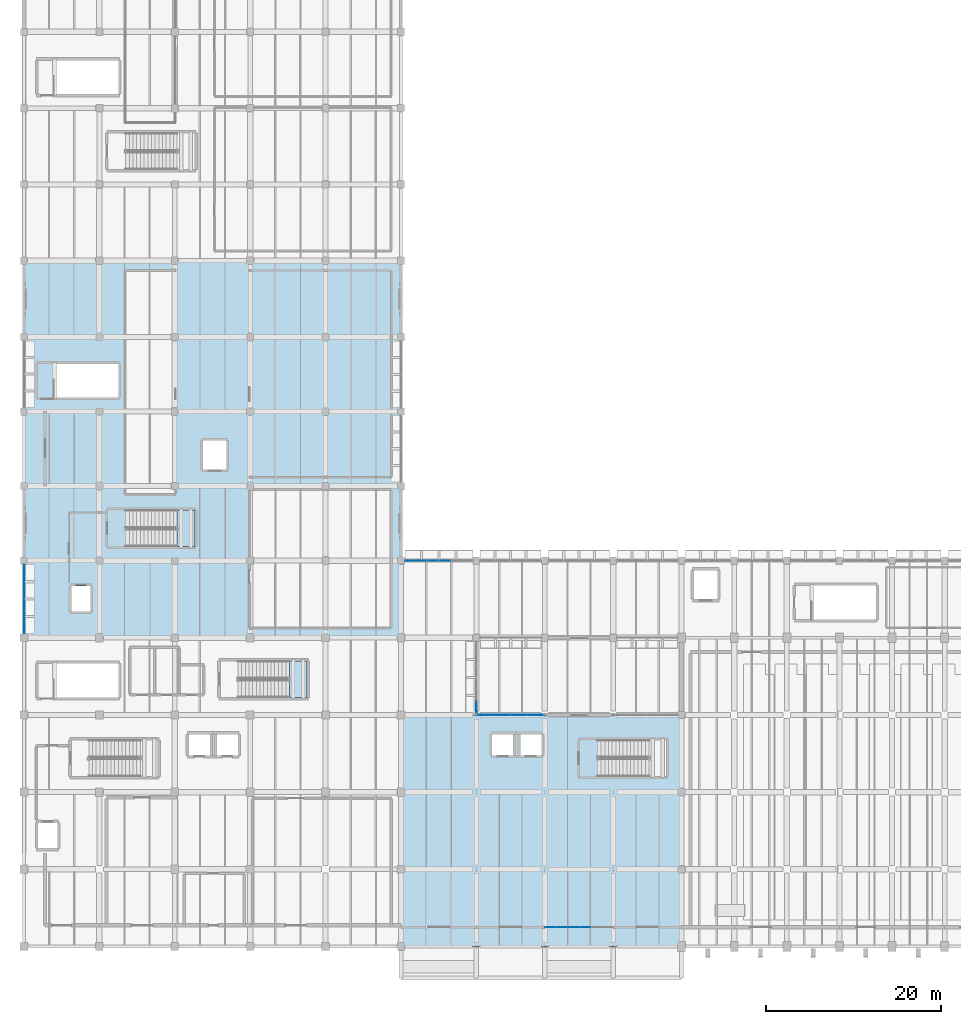
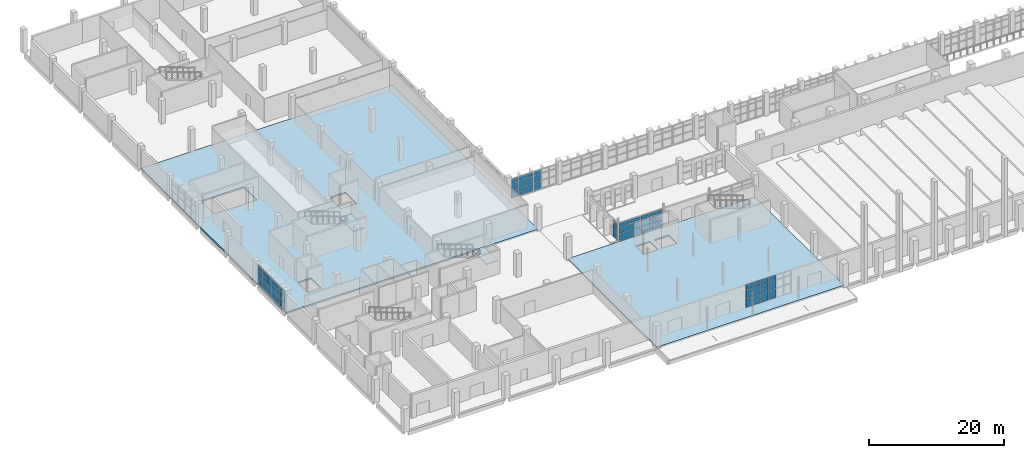
# One storey, part 50 of 76: 57 plates, 4 slabs, 11 elements without a shape of their own.
"""IFC4 building model written with IfcOpenShell, lengths in metres."""

import ifcopenshell
import ifcopenshell.guid

model = None  # the IFC model being written
_history = None  # IfcOwnerHistory: only IFC2X3 demands one
_inside = {}  # id of a spatial element -> (the spatial element, [elements in it])
_under = {}  # id of a project, library or spatial element -> (it, [spatial elements below it])
_declared = {}  # id of a project -> (the project, [libraries it declares])
_typed = {}  # id of a type object -> (the type object, [elements of that type])
_made_of = {}  # id of a material, layer set ... -> (it, [elements and type objects made of it])


def new_model(schema):
    """Start an empty IFC model of exactly this schema.

    Asked for "IFC4X3", IfcOpenShell would pick the latest addendum, in which some entities
    have other attributes; the version numbers below select the first issue.
    IFC2X3 requires an IfcOwnerHistory on every rooted entity: one is made here for all.
    """
    global model, _history
    if schema == "IFC4X3":
        model = ifcopenshell.file(schema_version=(4, 3, 0, 0))
    else:
        model = ifcopenshell.file(schema=schema)
    _inside.clear()
    _under.clear()
    _declared.clear()
    _typed.clear()
    _made_of.clear()
    _history = None
    if model.schema == "IFC2X3":
        org = make("IfcOrganization", Name="unknown")
        user = make(
            "IfcPersonAndOrganization",
            ThePerson=make("IfcPerson", FamilyName="unknown"),
            TheOrganization=org,
        )
        app = make(
            "IfcApplication",
            ApplicationDeveloper=org,
            Version="unknown",
            ApplicationFullName="unknown",
            ApplicationIdentifier="unknown",
        )
        _history = make(
            "IfcOwnerHistory",
            OwningUser=user,
            OwningApplication=app,
            ChangeAction="ADDED",
            CreationDate=0,
        )
    return model


def make(cls, **values):
    """One entity of the class cls with the attributes given. An attribute that is None is left unset."""
    return model.create_entity(
        cls, **{name: value for name, value in values.items() if value is not None}
    )


def rooted(cls, **values):
    """An entity with a GlobalId (a new one), such as an element, a storey or a relation."""
    return make(cls, GlobalId=ifcopenshell.guid.new(), OwnerHistory=_history, **values)


def si_unit(unit_type, name, prefix=None):
    """IfcSIUnit, for example si_unit("LENGTHUNIT", "METRE", prefix="MILLI")."""
    return make("IfcSIUnit", UnitType=unit_type, Prefix=prefix, Name=name)


def assignment(units):
    """IfcUnitAssignment: the units of a project."""
    return None if units is None else make("IfcUnitAssignment", Units=units)


def point(xyz):
    """IfcCartesianPoint."""
    return None if xyz is None else make("IfcCartesianPoint", Coordinates=xyz)


def direction(xyz):
    """IfcDirection."""
    return None if xyz is None else make("IfcDirection", DirectionRatios=xyz)


def frame(location, z_axis=None, x_axis=None):
    """IfcAxis2Placement3D, a coordinate frame: its origin and axes. An axis left out is left unset."""
    return make(
        "IfcAxis2Placement3D",
        Location=point(location),
        Axis=direction(z_axis),
        RefDirection=direction(x_axis),
    )


def frame_2d(location, x_axis=None):
    """IfcAxis2Placement2D, a coordinate frame in the plane: its origin and x axis."""
    return make(
        "IfcAxis2Placement2D", Location=point(location), RefDirection=direction(x_axis)
    )


def origin():
    """The frame at (0, 0, 0) with its axes left unset."""
    return frame((0.0, 0.0, 0.0))


def origin_2d():
    """The frame at (0, 0) in the plane with its x axis left unset."""
    return frame_2d((0.0, 0.0))


def place(relative_to, where):
    """IfcLocalPlacement: puts the frame where relative to a parent placement (None: the world)."""
    return make(
        "IfcLocalPlacement", PlacementRelTo=relative_to, RelativePlacement=where
    )


def context(
    kind, dimensions, precision=None, world=None, true_north=None, identifier=None
):
    """IfcGeometricRepresentationContext, for example the 3D "Model" context."""
    return make(
        "IfcGeometricRepresentationContext",
        ContextIdentifier=identifier,
        ContextType=kind,
        CoordinateSpaceDimension=dimensions,
        Precision=precision,
        WorldCoordinateSystem=world,
        TrueNorth=true_north,
    )


def subcontext(parent, identifier, kind, view, scale=None):
    """IfcGeometricRepresentationSubContext, for example "Body" below "Model"."""
    return make(
        "IfcGeometricRepresentationSubContext",
        ContextIdentifier=identifier,
        ContextType=kind,
        ParentContext=parent,
        TargetScale=scale,
        TargetView=view,
    )


def project(units=None, contexts=None):
    """IfcProject with its units and contexts."""
    return rooted(
        "IfcProject",
        Name="project",
        RepresentationContexts=contexts,
        UnitsInContext=assignment(units),
    )


def spatial(cls, under=None, at=None, **own):
    """A site, building, storey or space (cls), placed at a placement, below another one or the project."""
    s = rooted(cls, ObjectPlacement=at, **own)
    if under is not None:
        _under.setdefault(under.id(), (under, []))[1].append(s)
    return s


def polyline(points):
    """IfcPolyline through the points."""
    return make("IfcPolyline", Points=[point(p) for p in points])


def profile(cls, at=None, kind="AREA", **sizes):
    """A parametric profile (cls). Its sizes go by their IFC names, for example OverallWidth=200.0."""
    return make(cls, ProfileType=kind, Position=at, **sizes)


def rectangle(**sizes):
    """IfcRectangleProfileDef."""
    return profile("IfcRectangleProfileDef", **sizes)


def outline(outer, holes=None, kind="AREA"):
    """IfcArbitraryClosedProfileDef: a profile drawn as a closed curve; with holes, ...WithVoids."""
    if holes is None:
        return make("IfcArbitraryClosedProfileDef", ProfileType=kind, OuterCurve=outer)
    return make(
        "IfcArbitraryProfileDefWithVoids",
        ProfileType=kind,
        OuterCurve=outer,
        InnerCurves=holes,
    )


def extrude(swept, where, along, depth):
    """IfcExtrudedAreaSolid: the profile swept, set in the frame where, extruded along a direction by depth."""
    return make(
        "IfcExtrudedAreaSolid",
        SweptArea=swept,
        Position=where,
        ExtrudedDirection=direction(along),
        Depth=depth,
    )


def shape(context_of_items, identifier, shape_type, items):
    """IfcShapeRepresentation: the items that make up one representation, for example the "Body"."""
    return make(
        "IfcShapeRepresentation",
        ContextOfItems=context_of_items,
        RepresentationIdentifier=identifier,
        RepresentationType=shape_type,
        Items=items,
    )


def material(Name=None, Category=None):
    """IfcMaterial."""
    return make("IfcMaterial", Name=Name, Category=Category)


def layer(
    of_material, thickness, ventilated=None, Name=None, Category=None, Priority=None
):
    """IfcMaterialLayer: one layer of a wall or slab, of a material (None: an air gap)."""
    return make(
        "IfcMaterialLayer",
        Material=of_material,
        LayerThickness=thickness,
        IsVentilated=ventilated,
        Name=Name,
        Category=Category,
        Priority=Priority,
    )


def layer_set(layers, Name=None):
    """IfcMaterialLayerSet."""
    return make("IfcMaterialLayerSet", MaterialLayers=layers, LayerSetName=Name)


def made_of(thing, what):
    """Note that an element or type object is made of a material, layer set ...; save() writes the relation."""
    if what is not None:
        _made_of.setdefault(what.id(), (what, []))[1].append(thing)
    return thing


def type_object(cls, material=None, **own):
    """A type object (cls), such as IfcWallType, which elements share."""
    return made_of(rooted(cls, **own), material)


def element(
    cls,
    number,
    at=None,
    inside=None,
    cuts=None,
    type_object=None,
    material=None,
    context=None,
    identifier="Body",
    shape_type=None,
    held_by="IfcProductDefinitionShape",
    body=None,
    shapes=None,
    **own,
):
    """One element of the class cls, such as IfcWall. Its Tag is "e" and its number.

    at: its placement. inside: the storey or other place that contains it. cuts: it is an
    opening in that element (IfcRelVoidsElement). A single representation is given by context,
    identifier, shape_type and body (its items); several are given by shapes. held_by: the class
    of the entity that holds the representations. save() writes the other relations.
    """
    e = rooted(cls, Tag="e%d" % number, ObjectPlacement=at, **own)
    if body is not None:
        shapes = [shape(context, identifier, shape_type, body)]
    if shapes is not None:
        e.Representation = make(held_by, Representations=shapes)
    if inside is not None:
        _inside.setdefault(inside.id(), (inside, []))[1].append(e)
    if cuts is not None:
        rooted(
            "IfcRelVoidsElement", RelatingBuildingElement=cuts, RelatedOpeningElement=e
        )
    if type_object is not None:
        _typed.setdefault(type_object.id(), (type_object, []))[1].append(e)
    return made_of(e, material)


def aggregate(whole, parts):
    """IfcRelAggregates: a whole, such as a stair, and the parts it consists of."""
    return rooted("IfcRelAggregates", RelatingObject=whole, RelatedObjects=parts)


def save(model, path):
    """Write the relations noted so far, then the file.

    IfcRelAggregates (storeys below a building ...), IfcRelContainedInSpatialStructure (elements
    in a storey), IfcRelDefinesByType, IfcRelAssociatesMaterial and IfcRelDeclares: one each for
    every whole, place, type object, material and project.
    """
    for whole, parts in _under.values():
        aggregate(whole, parts)
    for where, things in _inside.values():
        rooted(
            "IfcRelContainedInSpatialStructure",
            RelatedElements=things,
            RelatingStructure=where,
        )
    for kind, things in _typed.values():
        rooted("IfcRelDefinesByType", RelatedObjects=things, RelatingType=kind)
    for what, things in _made_of.values():
        rooted("IfcRelAssociatesMaterial", RelatedObjects=things, RelatingMaterial=what)
    for by, libraries in _declared.values():
        rooted("IfcRelDeclares", RelatingContext=by, RelatedDefinitions=libraries)
    model.write(path)


model = new_model("IFC4")

# Units and contexts
model_context = context("Model", 3, precision=1e-05, world=origin(), true_north=direction((0.0, 1.0)))
body_context = subcontext(model_context, "Body", "Model", "MODEL_VIEW")
ifc_project = project(units=[si_unit("LENGTHUNIT", "METRE"), si_unit("AREAUNIT", "SQUARE_METRE"), si_unit("VOLUMEUNIT", "CUBIC_METRE"), si_unit("PLANEANGLEUNIT", "RADIAN"), si_unit("MASSUNIT", "GRAM", prefix="KILO")], contexts=[model_context])

# Site, building, storey
site_placement = place(None, origin())
site = spatial("IfcSite", under=ifc_project, at=site_placement, CompositionType="ELEMENT")
building_placement = place(site_placement, origin())
building = spatial("IfcBuilding", under=site, at=building_placement, Name="Varnakota Cinema and Media Centre", CompositionType="ELEMENT")
storey_placement = place(building_placement, origin())
storey = spatial("IfcBuildingStorey", under=building, at=storey_placement, Name="L00", CompositionType="ELEMENT", Elevation=0.0)

# Curtain wall, plates
ifc_material_1 = material(Name="Thermally broken anodised aluminium AW-6063", Category="aluminium")
curtain_wall_type_1 = type_object("IfcCurtainWallType", Name="CW-STD-388x424", PredefinedType="USERDEFINED", material=ifc_material_1)
curtain_wall_1_placement = place(storey_placement, origin())
curtain_wall_1 = element("IfcCurtainWall", 1, at=curtain_wall_1_placement, inside=storey, type_object=curtain_wall_type_1, Name="L00 curtain wall CW-L00-V6-S-02-1", ObjectType="UNITISED CURTAIN WALL", PredefinedType="USERDEFINED")
ifc_material_2 = material(Name="Laminated solar-control double glazing", Category="glass")
ifc_layer_1 = layer(ifc_material_2, 0.028076171875)
ifc_layer_set_1 = layer_set([ifc_layer_1], Name="Laminated solar-control double glazing")
plate_type = type_object("IfcPlateType", Name="CWP-DGU-28", PredefinedType="CURTAIN_PANEL", material=ifc_layer_set_1)
plate_1_placement = place(storey_placement, frame((63.98291015625, 2.199951171875, 0.06494140625), z_axis=(0.0, 0.0, 1.0), x_axis=(-1.0, 0.0, 0.0)))
plate_1 = element("IfcPlate", 2, at=plate_1_placement, type_object=plate_type, Name="CW05 panel 3.1", PredefinedType="CURTAIN_PANEL", context=body_context, shape_type="SweptSolid", body=[
    extrude(rectangle(XDim=1.19580078125, YDim=0.028076171875, at=origin_2d()), origin(), (0.0, 0.0, 1.0), 1.68115234375),
])
plate_2_placement = place(storey_placement, frame((63.98291015625, 2.199951171875, 1.81103515625), z_axis=(0.0, 0.0, 1.0), x_axis=(-1.0, 0.0, 0.0)))
plate_2 = element("IfcPlate", 3, at=plate_2_placement, type_object=plate_type, Name="CW05 panel 3.2", PredefinedType="CURTAIN_PANEL", context=body_context, shape_type="SweptSolid", body=[
    extrude(rectangle(XDim=1.19580078125, YDim=0.028076171875, at=origin_2d()), origin(), (0.0, 0.0, 1.0), 1.459716796875),
])
plate_3_placement = place(storey_placement, frame((63.98291015625, 2.199951171875, 3.3359375), z_axis=(0.0, 0.0, 1.0), x_axis=(-1.0, 0.0, 0.0)))
plate_3 = element("IfcPlate", 4, at=plate_3_placement, type_object=plate_type, Name="CW05 panel 3.3", PredefinedType="CURTAIN_PANEL", context=body_context, shape_type="SweptSolid", body=[
    extrude(rectangle(XDim=1.19580078125, YDim=0.028076171875, at=origin_2d()), origin(), (0.0, 0.0, 1.0), 0.834228515625),
])
aggregate(curtain_wall_1, [plate_1, plate_2, plate_3])

curtain_wall_2_placement = place(storey_placement, origin())
curtain_wall_2 = element("IfcCurtainWall", 5, at=curtain_wall_2_placement, inside=storey, type_object=curtain_wall_type_1, Name="L00 curtain wall CW-L00-V6-S-02-2", ObjectType="UNITISED CURTAIN WALL", PredefinedType="USERDEFINED")
plate_4_placement = place(storey_placement, frame((62.6171875, 2.199951171875, 0.06494140625), z_axis=(0.0, 0.0, 1.0), x_axis=(-1.0, 0.0, 0.0)))
plate_4 = element("IfcPlate", 6, at=plate_4_placement, type_object=plate_type, Name="CW05 panel 1.1", PredefinedType="CURTAIN_PANEL", context=body_context, shape_type="SweptSolid", body=[
    extrude(rectangle(XDim=1.19580078125, YDim=0.028076171875, at=origin_2d()), origin(), (0.0, 0.0, 1.0), 1.68115234375),
])
plate_5_placement = place(storey_placement, frame((62.6171875, 2.199951171875, 1.81103515625), z_axis=(0.0, 0.0, 1.0), x_axis=(-1.0, 0.0, 0.0)))
plate_5 = element("IfcPlate", 7, at=plate_5_placement, type_object=plate_type, Name="CW05 panel 1.2", PredefinedType="CURTAIN_PANEL", context=body_context, shape_type="SweptSolid", body=[
    extrude(rectangle(XDim=1.19580078125, YDim=0.028076171875, at=origin_2d()), origin(), (0.0, 0.0, 1.0), 1.459716796875),
])
plate_6_placement = place(storey_placement, frame((62.6171875, 2.199951171875, 3.3359375), z_axis=(0.0, 0.0, 1.0), x_axis=(-1.0, 0.0, 0.0)))
plate_6 = element("IfcPlate", 8, at=plate_6_placement, type_object=plate_type, Name="CW05 panel 1.3", PredefinedType="CURTAIN_PANEL", context=body_context, shape_type="SweptSolid", body=[
    extrude(rectangle(XDim=1.19580078125, YDim=0.028076171875, at=origin_2d()), origin(), (0.0, 0.0, 1.0), 0.834228515625),
])
plate_7_placement = place(storey_placement, frame((61.340087890625, 2.199951171875, 0.06494140625), z_axis=(0.0, 0.0, 1.0), x_axis=(-1.0, 0.0, 0.0)))
plate_7 = element("IfcPlate", 9, at=plate_7_placement, type_object=plate_type, Name="CW05 panel 2.1", PredefinedType="CURTAIN_PANEL", context=body_context, shape_type="SweptSolid", body=[
    extrude(rectangle(XDim=1.228271484375, YDim=0.028076171875, at=origin_2d()), origin(), (0.0, 0.0, 1.0), 1.68115234375),
])
plate_8_placement = place(storey_placement, frame((61.340087890625, 2.199951171875, 1.81103515625), z_axis=(0.0, 0.0, 1.0), x_axis=(-1.0, 0.0, 0.0)))
plate_8 = element("IfcPlate", 10, at=plate_8_placement, type_object=plate_type, Name="CW05 panel 2.2", PredefinedType="CURTAIN_PANEL", context=body_context, shape_type="SweptSolid", body=[
    extrude(rectangle(XDim=1.228271484375, YDim=0.028076171875, at=origin_2d()), origin(), (0.0, 0.0, 1.0), 1.459716796875),
])
plate_9_placement = place(storey_placement, frame((61.340087890625, 2.199951171875, 3.3359375), z_axis=(0.0, 0.0, 1.0), x_axis=(-1.0, 0.0, 0.0)))
plate_9 = element("IfcPlate", 11, at=plate_9_placement, type_object=plate_type, Name="CW05 panel 2.3", PredefinedType="CURTAIN_PANEL", context=body_context, shape_type="SweptSolid", body=[
    extrude(rectangle(XDim=1.228271484375, YDim=0.028076171875, at=origin_2d()), origin(), (0.0, 0.0, 1.0), 0.834228515625),
])
plate_10_placement = place(storey_placement, frame((60.06298828125, 2.199951171875, 0.06494140625), z_axis=(0.0, 0.0, 1.0), x_axis=(-1.0, 0.0, 0.0)))
plate_10 = element("IfcPlate", 12, at=plate_10_placement, type_object=plate_type, Name="CW05 panel 3.1", PredefinedType="CURTAIN_PANEL", context=body_context, shape_type="SweptSolid", body=[
    extrude(rectangle(XDim=1.19580078125, YDim=0.028076171875, at=origin_2d()), origin(), (0.0, 0.0, 1.0), 1.68115234375),
])
plate_11_placement = place(storey_placement, frame((60.06298828125, 2.199951171875, 1.81103515625), z_axis=(0.0, 0.0, 1.0), x_axis=(-1.0, 0.0, 0.0)))
plate_11 = element("IfcPlate", 13, at=plate_11_placement, type_object=plate_type, Name="CW05 panel 3.2", PredefinedType="CURTAIN_PANEL", context=body_context, shape_type="SweptSolid", body=[
    extrude(rectangle(XDim=1.19580078125, YDim=0.028076171875, at=origin_2d()), origin(), (0.0, 0.0, 1.0), 1.459716796875),
])
plate_12_placement = place(storey_placement, frame((60.06298828125, 2.199951171875, 3.3359375), z_axis=(0.0, 0.0, 1.0), x_axis=(-1.0, 0.0, 0.0)))
plate_12 = element("IfcPlate", 14, at=plate_12_placement, type_object=plate_type, Name="CW05 panel 3.3", PredefinedType="CURTAIN_PANEL", context=body_context, shape_type="SweptSolid", body=[
    extrude(rectangle(XDim=1.19580078125, YDim=0.028076171875, at=origin_2d()), origin(), (0.0, 0.0, 1.0), 0.834228515625),
])
aggregate(curtain_wall_2, [plate_4, plate_5, plate_6, plate_7, plate_8, plate_9, plate_10, plate_11, plate_12])

ifc_material_3 = material(Name="Thermally broken anodised aluminium AW-6063", Category="aluminium")
curtain_wall_type_2 = type_object("IfcCurtainWallType", Name="CW-STD-389x358", PredefinedType="USERDEFINED", material=ifc_material_3)
curtain_wall_3_placement = place(storey_placement, origin())
curtain_wall_3 = element("IfcCurtainWall", 15, at=curtain_wall_3_placement, inside=storey, type_object=curtain_wall_type_2, Name="L00 curtain wall CW-L00-LINK-N-01-1", ObjectType="UNITISED CURTAIN WALL", PredefinedType="USERDEFINED")
plate_13_placement = place(storey_placement, frame((44.06494140625, 44.0, 0.06494140625), z_axis=(0.0, 0.0, 1.0), x_axis=(1.0, 0.0, 0.0)))
plate_13 = element("IfcPlate", 16, at=plate_13_placement, type_object=plate_type, Name="CW07 panel 1.1", PredefinedType="CURTAIN_PANEL", context=body_context, shape_type="SweptSolid", body=[
    extrude(rectangle(XDim=1.199951171875, YDim=0.028076171875, at=origin_2d()), origin(), (0.0, 0.0, 1.0), 1.408203125),
])
plate_14_placement = place(storey_placement, frame((44.06494140625, 44.0, 1.5380859375), z_axis=(0.0, 0.0, 1.0), x_axis=(1.0, 0.0, 0.0)))
plate_14 = element("IfcPlate", 17, at=plate_14_placement, type_object=plate_type, Name="CW07 panel 1.2", PredefinedType="CURTAIN_PANEL", context=body_context, shape_type="SweptSolid", body=[
    extrude(rectangle(XDim=1.199951171875, YDim=0.028076171875, at=origin_2d()), origin(), (0.0, 0.0, 1.0), 1.2255859375),
])
plate_15_placement = place(storey_placement, frame((44.06494140625, 44.0, 2.82861328125), z_axis=(0.0, 0.0, 1.0), x_axis=(1.0, 0.0, 0.0)))
plate_15 = element("IfcPlate", 18, at=plate_15_placement, type_object=plate_type, Name="CW07 panel 1.3", PredefinedType="CURTAIN_PANEL", context=body_context, shape_type="SweptSolid", body=[
    extrude(rectangle(XDim=1.199951171875, YDim=0.028076171875, at=origin_2d()), origin(), (0.0, 0.0, 1.0), 0.691162109375),
])
plate_16_placement = place(storey_placement, frame((45.34619140625, 44.0, 0.06494140625), z_axis=(0.0, 0.0, 1.0), x_axis=(1.0, 0.0, 0.0)))
plate_16 = element("IfcPlate", 19, at=plate_16_placement, type_object=plate_type, Name="CW07 panel 2.1", PredefinedType="CURTAIN_PANEL", context=body_context, shape_type="SweptSolid", body=[
    extrude(rectangle(XDim=1.232421875, YDim=0.028076171875, at=origin_2d()), origin(), (0.0, 0.0, 1.0), 1.408203125),
])
plate_17_placement = place(storey_placement, frame((45.34619140625, 44.0, 1.5380859375), z_axis=(0.0, 0.0, 1.0), x_axis=(1.0, 0.0, 0.0)))
plate_17 = element("IfcPlate", 20, at=plate_17_placement, type_object=plate_type, Name="CW07 panel 2.2", PredefinedType="CURTAIN_PANEL", context=body_context, shape_type="SweptSolid", body=[
    extrude(rectangle(XDim=1.232421875, YDim=0.028076171875, at=origin_2d()), origin(), (0.0, 0.0, 1.0), 1.2255859375),
])
plate_18_placement = place(storey_placement, frame((45.34619140625, 44.0, 2.82861328125), z_axis=(0.0, 0.0, 1.0), x_axis=(1.0, 0.0, 0.0)))
plate_18 = element("IfcPlate", 21, at=plate_18_placement, type_object=plate_type, Name="CW07 panel 2.3", PredefinedType="CURTAIN_PANEL", context=body_context, shape_type="SweptSolid", body=[
    extrude(rectangle(XDim=1.232421875, YDim=0.028076171875, at=origin_2d()), origin(), (0.0, 0.0, 1.0), 0.691162109375),
])
plate_19_placement = place(storey_placement, frame((46.62744140625, 44.0, 0.06494140625), z_axis=(0.0, 0.0, 1.0), x_axis=(1.0, 0.0, 0.0)))
plate_19 = element("IfcPlate", 22, at=plate_19_placement, type_object=plate_type, Name="CW07 panel 3.1", PredefinedType="CURTAIN_PANEL", context=body_context, shape_type="SweptSolid", body=[
    extrude(rectangle(XDim=1.199951171875, YDim=0.028076171875, at=origin_2d()), origin(), (0.0, 0.0, 1.0), 1.408203125),
])
plate_20_placement = place(storey_placement, frame((46.62744140625, 44.0, 1.5380859375), z_axis=(0.0, 0.0, 1.0), x_axis=(1.0, 0.0, 0.0)))
plate_20 = element("IfcPlate", 23, at=plate_20_placement, type_object=plate_type, Name="CW07 panel 3.2", PredefinedType="CURTAIN_PANEL", context=body_context, shape_type="SweptSolid", body=[
    extrude(rectangle(XDim=1.199951171875, YDim=0.028076171875, at=origin_2d()), origin(), (0.0, 0.0, 1.0), 1.2255859375),
])
plate_21_placement = place(storey_placement, frame((46.62744140625, 44.0, 2.82861328125), z_axis=(0.0, 0.0, 1.0), x_axis=(1.0, 0.0, 0.0)))
plate_21 = element("IfcPlate", 24, at=plate_21_placement, type_object=plate_type, Name="CW07 panel 3.3", PredefinedType="CURTAIN_PANEL", context=body_context, shape_type="SweptSolid", body=[
    extrude(rectangle(XDim=1.199951171875, YDim=0.028076171875, at=origin_2d()), origin(), (0.0, 0.0, 1.0), 0.691162109375),
])
aggregate(curtain_wall_3, [plate_13, plate_14, plate_15, plate_16, plate_17, plate_18, plate_19, plate_20, plate_21])

curtain_wall_4_placement = place(storey_placement, origin())
curtain_wall_4 = element("IfcCurtainWall", 25, at=curtain_wall_4_placement, inside=storey, type_object=curtain_wall_type_2, Name="L00 curtain wall CW-L00-LINK-N-01-2", ObjectType="UNITISED CURTAIN WALL", PredefinedType="USERDEFINED")
plate_22_placement = place(storey_placement, frame((47.99755859375, 44.0, 0.06494140625), z_axis=(0.0, 0.0, 1.0), x_axis=(1.0, 0.0, 0.0)))
plate_22 = element("IfcPlate", 26, at=plate_22_placement, type_object=plate_type, Name="CW07 panel 1.1", PredefinedType="CURTAIN_PANEL", context=body_context, shape_type="SweptSolid", body=[
    extrude(rectangle(XDim=1.199951171875, YDim=0.028076171875, at=origin_2d()), origin(), (0.0, 0.0, 1.0), 1.408203125),
])
plate_23_placement = place(storey_placement, frame((47.99755859375, 44.0, 1.5380859375), z_axis=(0.0, 0.0, 1.0), x_axis=(1.0, 0.0, 0.0)))
plate_23 = element("IfcPlate", 27, at=plate_23_placement, type_object=plate_type, Name="CW07 panel 1.2", PredefinedType="CURTAIN_PANEL", context=body_context, shape_type="SweptSolid", body=[
    extrude(rectangle(XDim=1.199951171875, YDim=0.028076171875, at=origin_2d()), origin(), (0.0, 0.0, 1.0), 1.2255859375),
])
plate_24_placement = place(storey_placement, frame((47.99755859375, 44.0, 2.82861328125), z_axis=(0.0, 0.0, 1.0), x_axis=(1.0, 0.0, 0.0)))
plate_24 = element("IfcPlate", 28, at=plate_24_placement, type_object=plate_type, Name="CW07 panel 1.3", PredefinedType="CURTAIN_PANEL", context=body_context, shape_type="SweptSolid", body=[
    extrude(rectangle(XDim=1.199951171875, YDim=0.028076171875, at=origin_2d()), origin(), (0.0, 0.0, 1.0), 0.691162109375),
])
aggregate(curtain_wall_4, [plate_22, plate_23, plate_24])

ifc_material_4 = material(Name="Thermally broken anodised aluminium AW-6063", Category="aluminium")
curtain_wall_type_3 = type_object("IfcCurtainWallType", Name="CW-STD-372x338", PredefinedType="USERDEFINED", material=ifc_material_4)
curtain_wall_5_placement = place(storey_placement, origin())
curtain_wall_5 = element("IfcCurtainWall", 29, at=curtain_wall_5_placement, inside=storey, type_object=curtain_wall_type_3, Name="L00 curtain wall CW-L00-V6-N-01-1", ObjectType="UNITISED CURTAIN WALL", PredefinedType="USERDEFINED")
plate_25_placement = place(storey_placement, frame((52.707763671875, 26.39990234375, 0.06494140625), z_axis=(0.0, 0.0, 1.0), x_axis=(1.0, 0.0, 0.0)))
plate_25 = element("IfcPlate", 30, at=plate_25_placement, type_object=plate_type, Name="CW09 panel 1.1", PredefinedType="CURTAIN_PANEL", context=body_context, shape_type="SweptSolid", body=[
    extrude(rectangle(XDim=1.761474609375, YDim=0.028076171875, at=origin_2d()), origin(), (0.0, 0.0, 1.0), 1.32421875),
])
plate_26_placement = place(storey_placement, frame((52.707763671875, 26.39990234375, 1.4541015625), z_axis=(0.0, 0.0, 1.0), x_axis=(1.0, 0.0, 0.0)))
plate_26 = element("IfcPlate", 31, at=plate_26_placement, type_object=plate_type, Name="CW09 panel 1.2", PredefinedType="CURTAIN_PANEL", context=body_context, shape_type="SweptSolid", body=[
    extrude(rectangle(XDim=1.761474609375, YDim=0.028076171875, at=origin_2d()), origin(), (0.0, 0.0, 1.0), 1.153564453125),
])
plate_27_placement = place(storey_placement, frame((52.707763671875, 26.39990234375, 2.6728515625), z_axis=(0.0, 0.0, 1.0), x_axis=(1.0, 0.0, 0.0)))
plate_27 = element("IfcPlate", 32, at=plate_27_placement, type_object=plate_type, Name="CW09 panel 1.3", PredefinedType="CURTAIN_PANEL", context=body_context, shape_type="SweptSolid", body=[
    extrude(rectangle(XDim=1.761474609375, YDim=0.028076171875, at=origin_2d()), origin(), (0.0, 0.0, 1.0), 0.647216796875),
])
plate_28_placement = place(storey_placement, frame((54.5341796875, 26.39990234375, 0.06494140625), z_axis=(0.0, 0.0, 1.0), x_axis=(1.0, 0.0, 0.0)))
plate_28 = element("IfcPlate", 33, at=plate_28_placement, type_object=plate_type, Name="CW09 panel 2.1", PredefinedType="CURTAIN_PANEL", context=body_context, shape_type="SweptSolid", body=[
    extrude(rectangle(XDim=1.761474609375, YDim=0.028076171875, at=origin_2d()), origin(), (0.0, 0.0, 1.0), 1.32421875),
])
plate_29_placement = place(storey_placement, frame((54.5341796875, 26.39990234375, 1.4541015625), z_axis=(0.0, 0.0, 1.0), x_axis=(1.0, 0.0, 0.0)))
plate_29 = element("IfcPlate", 34, at=plate_29_placement, type_object=plate_type, Name="CW09 panel 2.2", PredefinedType="CURTAIN_PANEL", context=body_context, shape_type="SweptSolid", body=[
    extrude(rectangle(XDim=1.761474609375, YDim=0.028076171875, at=origin_2d()), origin(), (0.0, 0.0, 1.0), 1.153564453125),
])
plate_30_placement = place(storey_placement, frame((54.5341796875, 26.39990234375, 2.6728515625), z_axis=(0.0, 0.0, 1.0), x_axis=(1.0, 0.0, 0.0)))
plate_30 = element("IfcPlate", 35, at=plate_30_placement, type_object=plate_type, Name="CW09 panel 2.3", PredefinedType="CURTAIN_PANEL", context=body_context, shape_type="SweptSolid", body=[
    extrude(rectangle(XDim=1.761474609375, YDim=0.028076171875, at=origin_2d()), origin(), (0.0, 0.0, 1.0), 0.647216796875),
])
aggregate(curtain_wall_5, [plate_25, plate_26, plate_27, plate_28, plate_29, plate_30])

curtain_wall_6_placement = place(storey_placement, origin())
curtain_wall_6 = element("IfcCurtainWall", 36, at=curtain_wall_6_placement, inside=storey, type_object=curtain_wall_type_3, Name="L00 curtain wall CW-L00-V6-N-01-2", ObjectType="UNITISED CURTAIN WALL", PredefinedType="USERDEFINED")
plate_31_placement = place(storey_placement, frame((56.4658203125, 26.39990234375, 0.06494140625), z_axis=(0.0, 0.0, 1.0), x_axis=(1.0, 0.0, 0.0)))
plate_31 = element("IfcPlate", 37, at=plate_31_placement, type_object=plate_type, Name="CW09 panel 1.1", PredefinedType="CURTAIN_PANEL", context=body_context, shape_type="SweptSolid", body=[
    extrude(rectangle(XDim=1.761474609375, YDim=0.028076171875, at=origin_2d()), origin(), (0.0, 0.0, 1.0), 1.32421875),
])
plate_32_placement = place(storey_placement, frame((56.4658203125, 26.39990234375, 1.4541015625), z_axis=(0.0, 0.0, 1.0), x_axis=(1.0, 0.0, 0.0)))
plate_32 = element("IfcPlate", 38, at=plate_32_placement, type_object=plate_type, Name="CW09 panel 1.2", PredefinedType="CURTAIN_PANEL", context=body_context, shape_type="SweptSolid", body=[
    extrude(rectangle(XDim=1.761474609375, YDim=0.028076171875, at=origin_2d()), origin(), (0.0, 0.0, 1.0), 1.153564453125),
])
plate_33_placement = place(storey_placement, frame((56.4658203125, 26.39990234375, 2.6728515625), z_axis=(0.0, 0.0, 1.0), x_axis=(1.0, 0.0, 0.0)))
plate_33 = element("IfcPlate", 39, at=plate_33_placement, type_object=plate_type, Name="CW09 panel 1.3", PredefinedType="CURTAIN_PANEL", context=body_context, shape_type="SweptSolid", body=[
    extrude(rectangle(XDim=1.761474609375, YDim=0.028076171875, at=origin_2d()), origin(), (0.0, 0.0, 1.0), 0.647216796875),
])
plate_34_placement = place(storey_placement, frame((58.292236328125, 26.39990234375, 0.06494140625), z_axis=(0.0, 0.0, 1.0), x_axis=(1.0, 0.0, 0.0)))
plate_34 = element("IfcPlate", 40, at=plate_34_placement, type_object=plate_type, Name="CW09 panel 2.1", PredefinedType="CURTAIN_PANEL", context=body_context, shape_type="SweptSolid", body=[
    extrude(rectangle(XDim=1.761474609375, YDim=0.028076171875, at=origin_2d()), origin(), (0.0, 0.0, 1.0), 1.32421875),
])
plate_35_placement = place(storey_placement, frame((58.292236328125, 26.39990234375, 1.4541015625), z_axis=(0.0, 0.0, 1.0), x_axis=(1.0, 0.0, 0.0)))
plate_35 = element("IfcPlate", 41, at=plate_35_placement, type_object=plate_type, Name="CW09 panel 2.2", PredefinedType="CURTAIN_PANEL", context=body_context, shape_type="SweptSolid", body=[
    extrude(rectangle(XDim=1.761474609375, YDim=0.028076171875, at=origin_2d()), origin(), (0.0, 0.0, 1.0), 1.153564453125),
])
plate_36_placement = place(storey_placement, frame((58.292236328125, 26.39990234375, 2.6728515625), z_axis=(0.0, 0.0, 1.0), x_axis=(1.0, 0.0, 0.0)))
plate_36 = element("IfcPlate", 42, at=plate_36_placement, type_object=plate_type, Name="CW09 panel 2.3", PredefinedType="CURTAIN_PANEL", context=body_context, shape_type="SweptSolid", body=[
    extrude(rectangle(XDim=1.761474609375, YDim=0.028076171875, at=origin_2d()), origin(), (0.0, 0.0, 1.0), 0.647216796875),
])
aggregate(curtain_wall_6, [plate_31, plate_32, plate_33, plate_34, plate_35, plate_36])

ifc_material_5 = material(Name="Thermally broken anodised aluminium AW-6063", Category="aluminium")
curtain_wall_type_4 = type_object("IfcCurtainWallType", Name="CW-STD-410x338", PredefinedType="USERDEFINED", material=ifc_material_5)
curtain_wall_7_placement = place(storey_placement, origin())
curtain_wall_7 = element("IfcCurtainWall", 43, at=curtain_wall_7_placement, inside=storey, type_object=curtain_wall_type_4, Name="L00 curtain wall CW-L00-WLINK-E-01-1", ObjectType="UNITISED CURTAIN WALL", PredefinedType="USERDEFINED")
plate_37_placement = place(storey_placement, frame((51.60009765625, 27.261474609375, 0.06494140625), z_axis=(0.0, 0.0, 1.0), x_axis=(0.0, 1.0, 0.0)))
plate_37 = element("IfcPlate", 44, at=plate_37_placement, type_object=plate_type, Name="CW13 panel 1.1", PredefinedType="CURTAIN_PANEL", context=body_context, shape_type="SweptSolid", body=[
    extrude(rectangle(XDim=1.268798828125, YDim=0.028076171875, at=origin_2d()), origin(), (0.0, 0.0, 1.0), 1.32421875),
])
plate_38_placement = place(storey_placement, frame((51.60009765625, 27.261474609375, 1.4541015625), z_axis=(0.0, 0.0, 1.0), x_axis=(0.0, 1.0, 0.0)))
plate_38 = element("IfcPlate", 45, at=plate_38_placement, type_object=plate_type, Name="CW13 panel 1.2", PredefinedType="CURTAIN_PANEL", context=body_context, shape_type="SweptSolid", body=[
    extrude(rectangle(XDim=1.268798828125, YDim=0.028076171875, at=origin_2d()), origin(), (0.0, 0.0, 1.0), 1.153564453125),
])
plate_39_placement = place(storey_placement, frame((51.60009765625, 27.261474609375, 2.6728515625), z_axis=(0.0, 0.0, 1.0), x_axis=(0.0, 1.0, 0.0)))
plate_39 = element("IfcPlate", 46, at=plate_39_placement, type_object=plate_type, Name="CW13 panel 1.3", PredefinedType="CURTAIN_PANEL", context=body_context, shape_type="SweptSolid", body=[
    extrude(rectangle(XDim=1.268798828125, YDim=0.028076171875, at=origin_2d()), origin(), (0.0, 0.0, 1.0), 0.647216796875),
])
aggregate(curtain_wall_7, [plate_37, plate_38, plate_39])

ifc_material_6 = material(Name="Thermally broken anodised aluminium AW-6063", Category="aluminium")
curtain_wall_type_5 = type_object("IfcCurtainWallType", Name="CW-STD-394x364", PredefinedType="USERDEFINED", material=ifc_material_6)
curtain_wall_8_placement = place(storey_placement, origin())
curtain_wall_8 = element("IfcCurtainWall", 47, at=curtain_wall_8_placement, inside=storey, type_object=curtain_wall_type_5, Name="L00 curtain wall CW-L00-V5-W-S-02-1", ObjectType="UNITISED CURTAIN WALL", PredefinedType="USERDEFINED")
plate_40_placement = place(storey_placement, frame((0.0, 42.901611328125, 0.06494140625), z_axis=(0.0, 0.0, 1.0), x_axis=(0.0, -1.0, 0.0)))
plate_40 = element("IfcPlate", 48, at=plate_40_placement, type_object=plate_type, Name="CW16 panel 1.1", PredefinedType="CURTAIN_PANEL", context=body_context, shape_type="SweptSolid", body=[
    extrude(rectangle(XDim=1.216552734375, YDim=0.028076171875, at=origin_2d()), origin(), (0.0, 0.0, 1.0), 1.42919921875),
])
plate_41_placement = place(storey_placement, frame((0.0, 42.901611328125, 1.55908203125), z_axis=(0.0, 0.0, 1.0), x_axis=(0.0, -1.0, 0.0)))
plate_41 = element("IfcPlate", 49, at=plate_41_placement, type_object=plate_type, Name="CW16 panel 1.2", PredefinedType="CURTAIN_PANEL", context=body_context, shape_type="SweptSolid", body=[
    extrude(rectangle(XDim=1.216552734375, YDim=0.028076171875, at=origin_2d()), origin(), (0.0, 0.0, 1.0), 1.24365234375),
])
plate_42_placement = place(storey_placement, frame((0.0, 42.901611328125, 2.867919921875), z_axis=(0.0, 0.0, 1.0), x_axis=(0.0, -1.0, 0.0)))
plate_42 = element("IfcPlate", 50, at=plate_42_placement, type_object=plate_type, Name="CW16 panel 1.3", PredefinedType="CURTAIN_PANEL", context=body_context, shape_type="SweptSolid", body=[
    extrude(rectangle(XDim=1.216552734375, YDim=0.028076171875, at=origin_2d()), origin(), (0.0, 0.0, 1.0), 0.7021484375),
])
plate_43_placement = place(storey_placement, frame((0.0, 41.603759765625, 0.06494140625), z_axis=(0.0, 0.0, 1.0), x_axis=(0.0, -1.0, 0.0)))
plate_43 = element("IfcPlate", 51, at=plate_43_placement, type_object=plate_type, Name="CW16 panel 2.1", PredefinedType="CURTAIN_PANEL", context=body_context, shape_type="SweptSolid", body=[
    extrude(rectangle(XDim=1.249267578125, YDim=0.028076171875, at=origin_2d()), origin(), (0.0, 0.0, 1.0), 1.42919921875),
])
plate_44_placement = place(storey_placement, frame((0.0, 41.603759765625, 1.55908203125), z_axis=(0.0, 0.0, 1.0), x_axis=(0.0, -1.0, 0.0)))
plate_44 = element("IfcPlate", 52, at=plate_44_placement, type_object=plate_type, Name="CW16 panel 2.2", PredefinedType="CURTAIN_PANEL", context=body_context, shape_type="SweptSolid", body=[
    extrude(rectangle(XDim=1.249267578125, YDim=0.028076171875, at=origin_2d()), origin(), (0.0, 0.0, 1.0), 1.24365234375),
])
plate_45_placement = place(storey_placement, frame((0.0, 41.603759765625, 2.867919921875), z_axis=(0.0, 0.0, 1.0), x_axis=(0.0, -1.0, 0.0)))
plate_45 = element("IfcPlate", 53, at=plate_45_placement, type_object=plate_type, Name="CW16 panel 2.3", PredefinedType="CURTAIN_PANEL", context=body_context, shape_type="SweptSolid", body=[
    extrude(rectangle(XDim=1.249267578125, YDim=0.028076171875, at=origin_2d()), origin(), (0.0, 0.0, 1.0), 0.7021484375),
])
plate_46_placement = place(storey_placement, frame((0.0, 40.305908203125, 0.06494140625), z_axis=(0.0, 0.0, 1.0), x_axis=(0.0, -1.0, 0.0)))
plate_46 = element("IfcPlate", 54, at=plate_46_placement, type_object=plate_type, Name="CW16 panel 3.1", PredefinedType="CURTAIN_PANEL", context=body_context, shape_type="SweptSolid", body=[
    extrude(rectangle(XDim=1.216552734375, YDim=0.028076171875, at=origin_2d()), origin(), (0.0, 0.0, 1.0), 1.42919921875),
])
plate_47_placement = place(storey_placement, frame((0.0, 40.305908203125, 1.55908203125), z_axis=(0.0, 0.0, 1.0), x_axis=(0.0, -1.0, 0.0)))
plate_47 = element("IfcPlate", 55, at=plate_47_placement, type_object=plate_type, Name="CW16 panel 3.2", PredefinedType="CURTAIN_PANEL", context=body_context, shape_type="SweptSolid", body=[
    extrude(rectangle(XDim=1.216552734375, YDim=0.028076171875, at=origin_2d()), origin(), (0.0, 0.0, 1.0), 1.24365234375),
])
plate_48_placement = place(storey_placement, frame((0.0, 40.305908203125, 2.867919921875), z_axis=(0.0, 0.0, 1.0), x_axis=(0.0, -1.0, 0.0)))
plate_48 = element("IfcPlate", 56, at=plate_48_placement, type_object=plate_type, Name="CW16 panel 3.3", PredefinedType="CURTAIN_PANEL", context=body_context, shape_type="SweptSolid", body=[
    extrude(rectangle(XDim=1.216552734375, YDim=0.028076171875, at=origin_2d()), origin(), (0.0, 0.0, 1.0), 0.7021484375),
])
aggregate(curtain_wall_8, [plate_40, plate_41, plate_42, plate_43, plate_44, plate_45, plate_46, plate_47, plate_48])

curtain_wall_9_placement = place(storey_placement, origin())
curtain_wall_9 = element("IfcCurtainWall", 57, at=curtain_wall_9_placement, inside=storey, type_object=curtain_wall_type_5, Name="L00 curtain wall CW-L00-V5-W-S-02-2", ObjectType="UNITISED CURTAIN WALL", PredefinedType="USERDEFINED")
plate_49_placement = place(storey_placement, frame((0.0, 38.919189453125, 0.06494140625), z_axis=(0.0, 0.0, 1.0), x_axis=(0.0, -1.0, 0.0)))
plate_49 = element("IfcPlate", 58, at=plate_49_placement, type_object=plate_type, Name="CW16 panel 1.1", PredefinedType="CURTAIN_PANEL", context=body_context, shape_type="SweptSolid", body=[
    extrude(rectangle(XDim=1.216552734375, YDim=0.028076171875, at=origin_2d()), origin(), (0.0, 0.0, 1.0), 1.42919921875),
])
plate_50_placement = place(storey_placement, frame((0.0, 38.919189453125, 1.55908203125), z_axis=(0.0, 0.0, 1.0), x_axis=(0.0, -1.0, 0.0)))
plate_50 = element("IfcPlate", 59, at=plate_50_placement, type_object=plate_type, Name="CW16 panel 1.2", PredefinedType="CURTAIN_PANEL", context=body_context, shape_type="SweptSolid", body=[
    extrude(rectangle(XDim=1.216552734375, YDim=0.028076171875, at=origin_2d()), origin(), (0.0, 0.0, 1.0), 1.24365234375),
])
plate_51_placement = place(storey_placement, frame((0.0, 38.919189453125, 2.867919921875), z_axis=(0.0, 0.0, 1.0), x_axis=(0.0, -1.0, 0.0)))
plate_51 = element("IfcPlate", 60, at=plate_51_placement, type_object=plate_type, Name="CW16 panel 1.3", PredefinedType="CURTAIN_PANEL", context=body_context, shape_type="SweptSolid", body=[
    extrude(rectangle(XDim=1.216552734375, YDim=0.028076171875, at=origin_2d()), origin(), (0.0, 0.0, 1.0), 0.7021484375),
])
plate_52_placement = place(storey_placement, frame((0.0, 37.621337890625, 0.06494140625), z_axis=(0.0, 0.0, 1.0), x_axis=(0.0, -1.0, 0.0)))
plate_52 = element("IfcPlate", 61, at=plate_52_placement, type_object=plate_type, Name="CW16 panel 2.1", PredefinedType="CURTAIN_PANEL", context=body_context, shape_type="SweptSolid", body=[
    extrude(rectangle(XDim=1.249267578125, YDim=0.028076171875, at=origin_2d()), origin(), (0.0, 0.0, 1.0), 1.42919921875),
])
plate_53_placement = place(storey_placement, frame((0.0, 37.621337890625, 1.55908203125), z_axis=(0.0, 0.0, 1.0), x_axis=(0.0, -1.0, 0.0)))
plate_53 = element("IfcPlate", 62, at=plate_53_placement, type_object=plate_type, Name="CW16 panel 2.2", PredefinedType="CURTAIN_PANEL", context=body_context, shape_type="SweptSolid", body=[
    extrude(rectangle(XDim=1.249267578125, YDim=0.028076171875, at=origin_2d()), origin(), (0.0, 0.0, 1.0), 1.24365234375),
])
plate_54_placement = place(storey_placement, frame((0.0, 37.621337890625, 2.867919921875), z_axis=(0.0, 0.0, 1.0), x_axis=(0.0, -1.0, 0.0)))
plate_54 = element("IfcPlate", 63, at=plate_54_placement, type_object=plate_type, Name="CW16 panel 2.3", PredefinedType="CURTAIN_PANEL", context=body_context, shape_type="SweptSolid", body=[
    extrude(rectangle(XDim=1.249267578125, YDim=0.028076171875, at=origin_2d()), origin(), (0.0, 0.0, 1.0), 0.7021484375),
])
plate_55_placement = place(storey_placement, frame((0.0, 36.3232421875, 0.06494140625), z_axis=(0.0, 0.0, 1.0), x_axis=(0.0, -1.0, 0.0)))
plate_55 = element("IfcPlate", 64, at=plate_55_placement, type_object=plate_type, Name="CW16 panel 3.1", PredefinedType="CURTAIN_PANEL", context=body_context, shape_type="SweptSolid", body=[
    extrude(rectangle(XDim=1.216552734375, YDim=0.028076171875, at=origin_2d()), origin(), (0.0, 0.0, 1.0), 1.42919921875),
])
plate_56_placement = place(storey_placement, frame((0.0, 36.3232421875, 1.55908203125), z_axis=(0.0, 0.0, 1.0), x_axis=(0.0, -1.0, 0.0)))
plate_56 = element("IfcPlate", 65, at=plate_56_placement, type_object=plate_type, Name="CW16 panel 3.2", PredefinedType="CURTAIN_PANEL", context=body_context, shape_type="SweptSolid", body=[
    extrude(rectangle(XDim=1.216552734375, YDim=0.028076171875, at=origin_2d()), origin(), (0.0, 0.0, 1.0), 1.24365234375),
])
plate_57_placement = place(storey_placement, frame((0.0, 36.3232421875, 2.867919921875), z_axis=(0.0, 0.0, 1.0), x_axis=(0.0, -1.0, 0.0)))
plate_57 = element("IfcPlate", 66, at=plate_57_placement, type_object=plate_type, Name="CW16 panel 3.3", PredefinedType="CURTAIN_PANEL", context=body_context, shape_type="SweptSolid", body=[
    extrude(rectangle(XDim=1.216552734375, YDim=0.028076171875, at=origin_2d()), origin(), (0.0, 0.0, 1.0), 0.7021484375),
])
aggregate(curtain_wall_9, [plate_49, plate_50, plate_51, plate_52, plate_53, plate_54, plate_55, plate_56, plate_57])

# Slabs
ifc_material_7 = material(Name="Concrete M35", Category="concrete")
ifc_layer_2 = layer(ifc_material_7, 0.280029296875)
ifc_layer_set_2 = layer_set([ifc_layer_2], Name="Concrete M35")
slab_type_1 = type_object("IfcSlabType", Name="SLB-FLR-280", PredefinedType="FLOOR", material=ifc_layer_set_2)
slab_1_placement = place(storey_placement, frame((0.0, 0.0, -0.280029296875)))
element("IfcSlab", 67, at=slab_1_placement, inside=storey, type_object=slab_type_1, Name="L00 V6 floor slab", PredefinedType="FLOOR", context=body_context, shape_type="SweptSolid", body=[
    extrude(outline(polyline([(43.0, 0.0), (75.0, 0.0), (75.0, 26.39990234375), (43.0, 26.39990234375), (43.0, 0.0)]), holes=[polyline([(53.39990234375, 21.800048828125), (55.800048828125, 21.800048828125), (55.800048828125, 24.199951171875), (53.39990234375, 24.199951171875), (53.39990234375, 21.800048828125)]), polyline([(56.60009765625, 21.800048828125), (59.0, 21.800048828125), (59.0, 24.199951171875), (56.60009765625, 24.199951171875), (56.60009765625, 21.800048828125)])]), origin(), (0.0, 0.0, 1.0), 0.280029296875),
])
slab_2_placement = place(storey_placement, frame((0.0, 0.0, -0.280029296875)))
element("IfcSlab", 68, at=slab_2_placement, inside=storey, type_object=slab_type_1, Name="L00 V5 floor slab", PredefinedType="FLOOR", context=body_context, shape_type="SweptSolid", body=[
    extrude(outline(polyline([(0.0, 35.199951171875), (43.0, 35.199951171875), (43.0, 78.199951171875), (0.0, 78.199951171875), (0.0, 35.199951171875)]), holes=[polyline([(3.449951171875, 62.60009765625), (10.760009765625, 62.60009765625), (10.760009765625, 66.449951171875), (3.449951171875, 66.449951171875), (3.449951171875, 62.60009765625)]), polyline([(5.39990234375, 38.199951171875), (7.60009765625, 38.199951171875), (7.60009765625, 41.10009765625), (5.39990234375, 41.10009765625), (5.39990234375, 38.199951171875)]), polyline([(20.39990234375, 54.39990234375), (23.10009765625, 54.39990234375), (23.10009765625, 57.699951171875), (20.39990234375, 57.699951171875), (20.39990234375, 54.39990234375)])]), origin(), (0.0, 0.0, 1.0), 0.280029296875),
])

# Stair, slab
ifc_material_8 = material(Name="Concrete M35", Category="concrete")
stair_type_1 = type_object("IfcStairType", Name="STR-CORE-ST-02-2000", PredefinedType="HALF_TURN_STAIR", material=ifc_material_8)
stair_1_placement = place(storey_placement, origin())
stair_1 = element("IfcStair", 69, at=stair_1_placement, inside=storey, type_object=stair_type_1, Name="L00 Cinema North Escape Stair 2", PredefinedType="HALF_TURN_STAIR")
ifc_material_9 = material(Name="Concrete M35", Category="concrete")
ifc_layer_3 = layer(ifc_material_9, 0.199951171875)
ifc_layer_set_3 = layer_set([ifc_layer_3], Name="Concrete M35")
slab_type_2 = type_object("IfcSlabType", Name="SLB-LAND-ST-02", PredefinedType="LANDING", material=ifc_layer_set_3)
slab_3_placement = place(storey_placement, frame((0.0, 0.0, 2.050048828125)))
slab_3 = element("IfcSlab", 70, at=slab_3_placement, type_object=slab_type_2, Name="ST-02 landing 1", PredefinedType="LANDING", context=body_context, shape_type="SweptSolid", body=[
    extrude(outline(polyline([(30.280029296875, 28.39990234375), (32.280029296875, 28.39990234375), (32.280029296875, 32.550048828125), (30.280029296875, 32.550048828125), (30.280029296875, 28.39990234375)])), origin(), (0.0, 0.0, 1.0), 0.199951171875),
])
aggregate(stair_1, [slab_3])

ifc_material_10 = material(Name="Concrete M35", Category="concrete")
stair_type_2 = type_object("IfcStairType", Name="STR-CORE-ST-03-2000", PredefinedType="HALF_TURN_STAIR", material=ifc_material_10)
stair_2_placement = place(storey_placement, origin())
stair_2 = element("IfcStair", 71, at=stair_2_placement, inside=storey, type_object=stair_type_2, Name="L00 Studio Firefighting Stair 3", PredefinedType="HALF_TURN_STAIR")
ifc_material_11 = material(Name="Concrete M35", Category="concrete")
ifc_layer_4 = layer(ifc_material_11, 0.199951171875)
ifc_layer_set_4 = layer_set([ifc_layer_4], Name="Concrete M35")
slab_type_3 = type_object("IfcSlabType", Name="SLB-LAND-ST-03", PredefinedType="LANDING", material=ifc_layer_set_4)
slab_4_placement = place(storey_placement, frame((0.0, 0.0, 2.050048828125)))
slab_4 = element("IfcSlab", 72, at=slab_4_placement, type_object=slab_type_3, Name="ST-03 landing 1", PredefinedType="LANDING", context=body_context, shape_type="SweptSolid", body=[
    extrude(outline(polyline([(17.47998046875, 45.60009765625), (19.47998046875, 45.60009765625), (19.47998046875, 49.75), (17.47998046875, 49.75), (17.47998046875, 45.60009765625)])), origin(), (0.0, 0.0, 1.0), 0.199951171875),
])
aggregate(stair_2, [slab_4])

save(model, "model.ifc")
